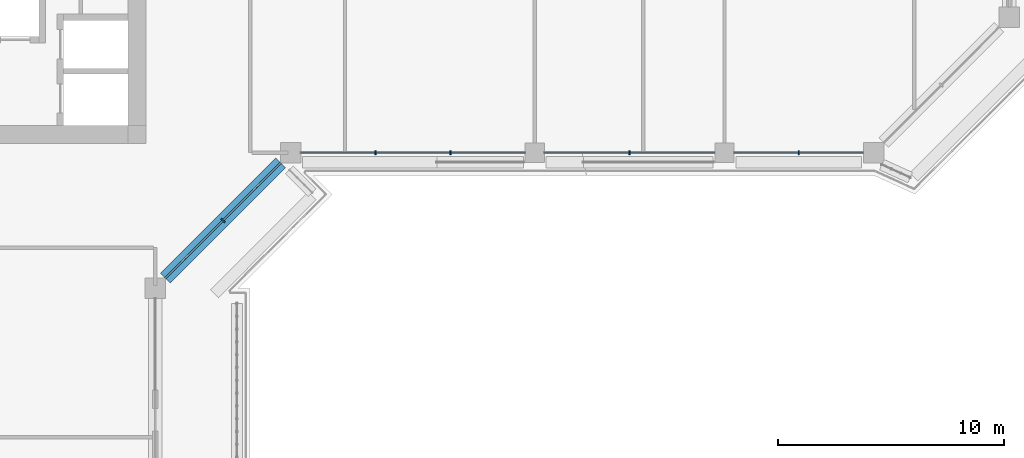
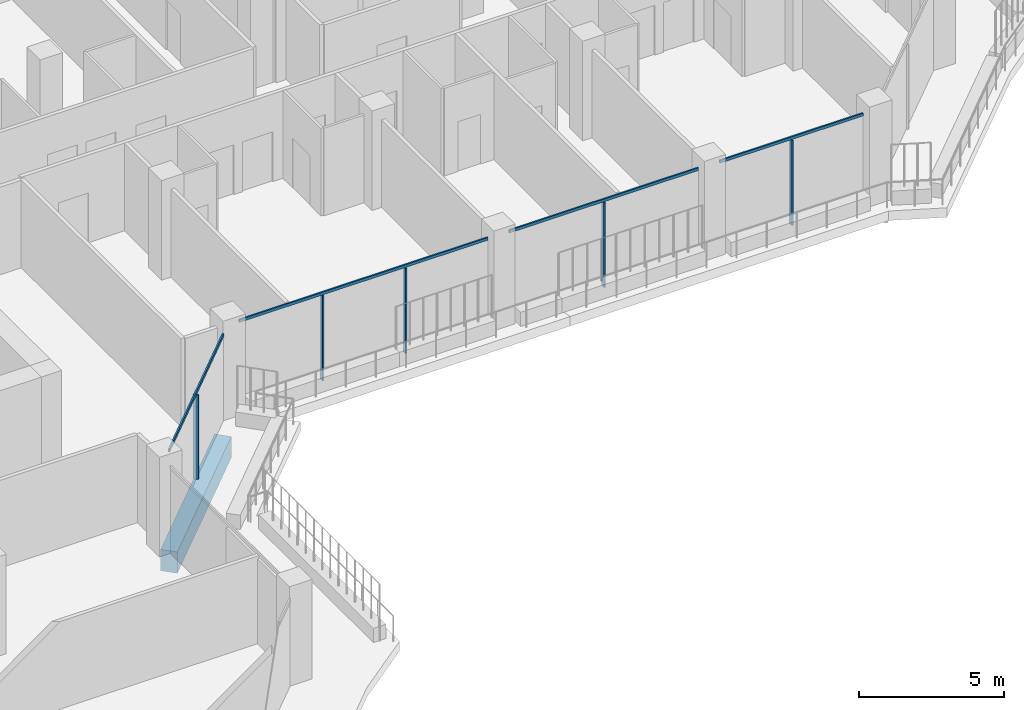
# One storey, part 4 of 23: 9 members, 1 beam, 2 elements without a shape of their own.
"""IFC4 building model written with IfcOpenShell, lengths in metres."""

from ifc_helpers import new_model, si_unit, direction, frame, origin, origin_2d, place, context, subcontext, project, spatial, rectangle, extrude, material, layer, layer_set, material_profile, profile_set, type_object, element, aggregate, save


model = new_model("IFC4")

# Units and contexts
model_context = context("Model", 3, precision=1e-05, world=origin(), true_north=direction((0.0, 1.0)))
body_context = subcontext(model_context, "Body", "Model", "MODEL_VIEW")
ifc_project = project(units=[si_unit("LENGTHUNIT", "METRE"), si_unit("AREAUNIT", "SQUARE_METRE"), si_unit("VOLUMEUNIT", "CUBIC_METRE"), si_unit("PLANEANGLEUNIT", "RADIAN"), si_unit("MASSUNIT", "GRAM", prefix="KILO")], contexts=[model_context])

# Site, building, storey
site_placement = place(None, origin())
site = spatial("IfcSite", under=ifc_project, at=site_placement, CompositionType="ELEMENT")
building_placement = place(site_placement, origin())
building = spatial("IfcBuilding", under=site, at=building_placement, Name="Kawkab Arch Medical Tower", CompositionType="ELEMENT")
storey_placement = place(building_placement, frame((0.0, 0.0, 268.39990234375)))
storey = spatial("IfcBuildingStorey", under=building, at=storey_placement, Name="L62", CompositionType="ELEMENT", Elevation=268.39990234375)

# Curtain wall, members
ifc_material_1 = material(Name="Bronze anodised aluminium curtain wall frame", Category="aluminium")
ifc_layer_1 = layer(ifc_material_1, 0.159912109375)
ifc_layer_set_1 = layer_set([ifc_layer_1], Name="Bronze anodised aluminium curtain wall frame")
curtain_wall_type_1 = type_object("IfcCurtainWallType", Name="CW1 ward curtain wall", PredefinedType="NOTDEFINED", material=ifc_layer_set_1)
placement = place(storey_placement, origin())
curtain_wall_1 = element("IfcCurtainWall", 1, at=placement, inside=storey, type_object=curtain_wall_type_1, Name="CW1 Ward curtain wall R07", PredefinedType="NOTDEFINED")
ifc_material_2 = material(Name="Bronze anodised aluminium curtain wall frame", Category="aluminium")
ifc_material_profile_1 = material_profile(ifc_material_2, rectangle(XDim=0.179931640625, YDim=0.06005859375, at=origin_2d()), Name="AL 60x180")
ifc_profile_set_1 = profile_set([ifc_material_profile_1], Name="Bronze anodised aluminium curtain wall frame")
member_type_1 = type_object("IfcMemberType", Name="CW1 mullion 60 x 180", PredefinedType="MULLION", material=ifc_profile_set_1)
member_1_placement = place(storey_placement, frame((34.958251953125, -25.199951171875, 0.0), z_axis=(0.0, 0.0, 1.0), x_axis=(0.0, 1.0, 0.0)))
member_1 = element("IfcMember", 2, at=member_1_placement, type_object=member_type_1, Name="CW1 mullion 1.1", PredefinedType="MULLION", context=body_context, shape_type="SweptSolid", body=[
    extrude(rectangle(XDim=0.179931640625, YDim=0.06005859375, at=origin_2d()), origin(), (0.0, 0.0, 1.0), 3.580078125),
])
member_2_placement = place(storey_placement, frame((38.2666015625, -25.199951171875, 0.0), z_axis=(0.0, 0.0, 1.0), x_axis=(0.0, 1.0, 0.0)))
member_2 = element("IfcMember", 3, at=member_2_placement, type_object=member_type_1, Name="CW1 mullion 1.2", PredefinedType="MULLION", context=body_context, shape_type="SweptSolid", body=[
    extrude(rectangle(XDim=0.179931640625, YDim=0.06005859375, at=origin_2d()), origin(), (0.0, 0.0, 1.0), 3.580078125),
])
member_3_placement = place(storey_placement, frame((46.199951171875, -25.199951171875, 0.0), z_axis=(0.0, 0.0, 1.0), x_axis=(0.0, 1.0, 0.0)))
member_3 = element("IfcMember", 4, at=member_3_placement, type_object=member_type_1, Name="CW1 mullion 2.1", PredefinedType="MULLION", context=body_context, shape_type="SweptSolid", body=[
    extrude(rectangle(XDim=0.179931640625, YDim=0.06005859375, at=origin_2d()), origin(), (0.0, 0.0, 1.0), 3.580078125),
])
member_4_placement = place(storey_placement, frame((53.6875, -25.199951171875, 0.0), z_axis=(0.0, 0.0, 1.0), x_axis=(0.0, 1.0, 0.0)))
member_4 = element("IfcMember", 5, at=member_4_placement, type_object=member_type_1, Name="CW1 mullion 3.1", PredefinedType="MULLION", context=body_context, shape_type="SweptSolid", body=[
    extrude(rectangle(XDim=0.179931640625, YDim=0.06005859375, at=origin_2d()), origin(), (0.0, 0.0, 1.0), 3.580078125),
])
ifc_material_3 = material(Name="Bronze anodised aluminium curtain wall frame", Category="aluminium")
ifc_material_profile_2 = material_profile(ifc_material_3, rectangle(XDim=0.06005859375, YDim=0.1201171875, at=origin_2d()), Name="AL 60x120")
ifc_profile_set_2 = profile_set([ifc_material_profile_2], Name="Bronze anodised aluminium curtain wall frame")
member_type_2 = type_object("IfcMemberType", Name="CW1 transom 120 x 60", PredefinedType="USERDEFINED", material=ifc_profile_set_2)
member_5_placement = place(storey_placement, frame((31.64990234375, -25.199951171875, 3.64013671875), z_axis=(1.0, 0.0, 0.0), x_axis=(0.0, 1.0, 0.0)))
member_5 = element("IfcMember", 6, at=member_5_placement, type_object=member_type_2, Name="CW1 transom 1", ObjectType="TRANSOM", PredefinedType="USERDEFINED", context=body_context, shape_type="SweptSolid", body=[
    extrude(rectangle(XDim=0.06005859375, YDim=0.1201171875, at=origin_2d()), origin(), (0.0, 0.0, 1.0), 9.925048828125),
])
member_6_placement = place(storey_placement, frame((42.425048828125, -25.199951171875, 3.64013671875), z_axis=(1.0, 0.0, 0.0), x_axis=(0.0, 1.0, 0.0)))
member_6 = element("IfcMember", 7, at=member_6_placement, type_object=member_type_2, Name="CW1 transom 2", ObjectType="TRANSOM", PredefinedType="USERDEFINED", context=body_context, shape_type="SweptSolid", body=[
    extrude(rectangle(XDim=0.06005859375, YDim=0.1201171875, at=origin_2d()), origin(), (0.0, 0.0, 1.0), 7.550048828125),
])
member_7_placement = place(storey_placement, frame((50.824951171875, -25.199951171875, 3.64013671875), z_axis=(1.0, 0.0, 0.0), x_axis=(0.0, 1.0, 0.0)))
member_7 = element("IfcMember", 8, at=member_7_placement, type_object=member_type_2, Name="CW1 transom 3", ObjectType="TRANSOM", PredefinedType="USERDEFINED", context=body_context, shape_type="SweptSolid", body=[
    extrude(rectangle(XDim=0.06005859375, YDim=0.1201171875, at=origin_2d()), origin(), (0.0, 0.0, 1.0), 5.72509765625),
])
aggregate(curtain_wall_1, [member_5, member_1, member_2, member_6, member_3, member_7, member_4])

ifc_material_4 = material(Name="Bronze anodised aluminium curtain wall frame", Category="aluminium")
ifc_layer_2 = layer(ifc_material_4, 0.159912109375)
ifc_layer_set_2 = layer_set([ifc_layer_2], Name="Bronze anodised aluminium curtain wall frame")
curtain_wall_type_2 = type_object("IfcCurtainWallType", Name="CW2 chamfer curtain wall", PredefinedType="NOTDEFINED", material=ifc_layer_set_2)
curtain_wall_2 = element("IfcCurtainWall", 9, at=placement, inside=storey, type_object=curtain_wall_type_2, Name="CW2 Chamfer curtain wall R06", PredefinedType="NOTDEFINED")
ifc_material_5 = material(Name="Bronze anodised aluminium curtain wall frame", Category="aluminium")
ifc_material_profile_3 = material_profile(ifc_material_5, rectangle(XDim=0.199951171875, YDim=0.06005859375, at=origin_2d()), Name="AL 60x200")
ifc_profile_set_3 = profile_set([ifc_material_profile_3], Name="Bronze anodised aluminium curtain wall frame")
member_type_3 = type_object("IfcMemberType", Name="CW2 mullion 60 x 200", PredefinedType="MULLION", material=ifc_profile_set_3)
member_8_placement = place(storey_placement, frame((28.199951171875, -28.199951171875, 0.0), z_axis=(0.0, 0.0, 1.0), x_axis=(-0.707106781187, 0.707106781187, 0.0)))
member_8 = element("IfcMember", 10, at=member_8_placement, type_object=member_type_3, Name="CW2 mullion 1.1", PredefinedType="MULLION", context=body_context, shape_type="SweptSolid", body=[
    extrude(rectangle(XDim=0.199951171875, YDim=0.06005859375, at=origin_2d()), origin(), (0.0, 0.0, 1.0), 3.56005859375),
])
ifc_material_6 = material(Name="Bronze anodised aluminium curtain wall frame", Category="aluminium")
ifc_material_profile_4 = material_profile(ifc_material_6, rectangle(XDim=0.06005859375, YDim=0.139892578125, at=origin_2d()), Name="AL 60x140")
ifc_profile_set_4 = profile_set([ifc_material_profile_4], Name="Bronze anodised aluminium curtain wall frame")
member_type_4 = type_object("IfcMemberType", Name="CW2 transom 140 x 60", PredefinedType="USERDEFINED", material=ifc_profile_set_4)
member_9_placement = place(storey_placement, frame((25.64990234375, -30.75, 3.630126953125), z_axis=(0.707106781187, 0.707106781187, 0.0), x_axis=(-0.707106781187, 0.707106781187, 0.0)))
member_9 = element("IfcMember", 11, at=member_9_placement, type_object=member_type_4, Name="CW2 transom 1", ObjectType="TRANSOM", PredefinedType="USERDEFINED", context=body_context, shape_type="SweptSolid", body=[
    extrude(rectangle(XDim=0.06005859375, YDim=0.139892578125, at=origin_2d()), origin(), (0.0, 0.0, 1.0), 7.212646484375),
])
aggregate(curtain_wall_2, [member_9, member_8])

# Beam
ifc_material_7 = material(Name="Concrete C45/55", Category="concrete")
ifc_material_profile_5 = material_profile(ifc_material_7, rectangle(XDim=0.60009765625, YDim=0.89990234375, at=origin_2d()), Name="RC 600x900")
ifc_profile_set_5 = profile_set([ifc_material_profile_5], Name="Concrete C45/55")
beam_type = type_object("IfcBeamType", Name="RC 600x900 beam C45/55", PredefinedType="BEAM", material=ifc_profile_set_5)
beam_placement = place(storey_placement, frame((30.75, -25.64990234375, -1.0498046875), z_axis=(-0.707106781187, -0.707106781187, 0.0), x_axis=(0.707106781187, -0.707106781187, 0.0)))
element("IfcBeam", 12, at=beam_placement, inside=storey, type_object=beam_type, Name="Overhang edge beam L62-04", PredefinedType="BEAM", context=body_context, shape_type="SweptSolid", body=[
    extrude(rectangle(XDim=0.60009765625, YDim=0.89990234375, at=origin_2d()), origin(), (0.0, 0.0, 1.0), 7.212646484375),
])

save(model, "model.ifc")
